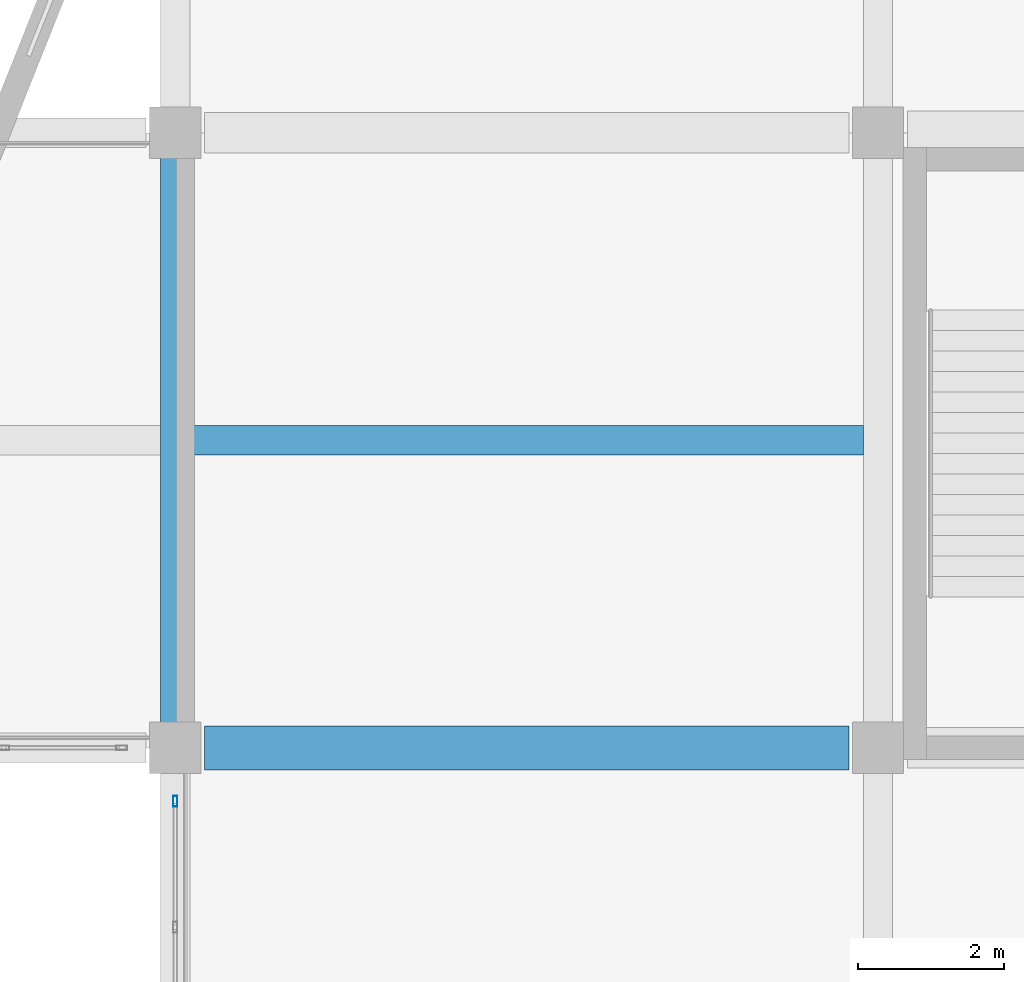
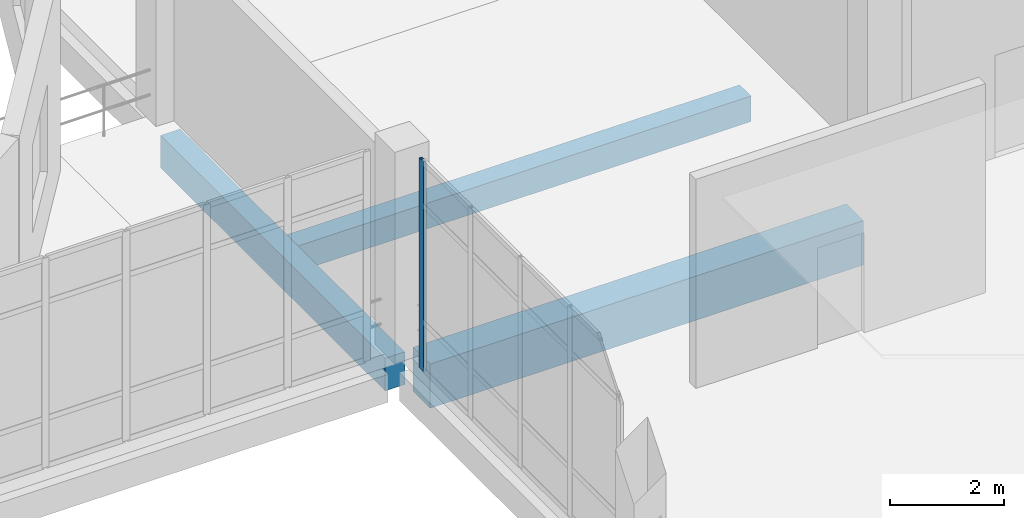
# One storey, part 48 of 102: 3 beams, 1 member, 1 element without a shape of its own.
"""IFC4 building model written with IfcOpenShell, lengths in metres."""

from ifc_helpers import new_model, si_unit, direction, frame, origin, origin_2d, place, context, subcontext, project, spatial, rectangle, hollow_rectangle, extrude, material, layer, layer_set, material_profile, profile_set, type_object, element, aggregate, save


model = new_model("IFC4")

# Units and contexts
model_context = context("Model", 3, precision=1e-05, world=origin(), true_north=direction((0.0, 1.0)))
body_context = subcontext(model_context, "Body", "Model", "MODEL_VIEW")
ifc_project = project(units=[si_unit("LENGTHUNIT", "METRE"), si_unit("AREAUNIT", "SQUARE_METRE"), si_unit("VOLUMEUNIT", "CUBIC_METRE"), si_unit("PLANEANGLEUNIT", "RADIAN"), si_unit("MASSUNIT", "GRAM", prefix="KILO")], contexts=[model_context])

# Site, building, storey
site_placement = place(None, origin())
site = spatial("IfcSite", under=ifc_project, at=site_placement, CompositionType="ELEMENT")
building_placement = place(site_placement, origin())
building = spatial("IfcBuilding", under=site, at=building_placement, Name="Lornevale Opera House", CompositionType="ELEMENT")
storey_placement = place(building_placement, frame((0.0, 0.0, 5.39990234375)))
storey = spatial("IfcBuildingStorey", under=building, at=storey_placement, Name="L02", CompositionType="ELEMENT", Elevation=5.39990234375)

# Beams
ifc_material_1 = material(Name="Concrete 35 MPa (CSA A23.1 N)", Category="concrete")
ifc_material_profile_1 = material_profile(ifc_material_1, rectangle(XDim=0.39990234375, YDim=0.550048828125, at=origin_2d()), Name="RC400x550")
ifc_profile_set_1 = profile_set([ifc_material_profile_1], Name="Concrete 35 MPa (CSA A23.1 N)")
beam_type_1 = type_object("IfcBeamType", Name="Auditorium Tier Raker Beam 400x550", PredefinedType="JOIST", material=ifc_profile_set_1)
beam_1_placement = place(storey_placement, frame((96.199951171875, 37.800048828125, -0.574951171875), z_axis=(1.0, 0.0, 0.0), x_axis=(0.0, 1.0, 0.0)))
element("IfcBeam", 1, at=beam_1_placement, inside=storey, type_object=beam_type_1, Name="Auditorium Tier Raker Beam 400x550 2035", PredefinedType="JOIST", context=body_context, shape_type="SweptSolid", body=[
    extrude(rectangle(XDim=0.39990234375, YDim=0.550048828125, at=origin_2d()), origin(), (0.0, 0.0, 1.0), 9.199951171875),
])
ifc_material_profile_2 = material_profile(ifc_material_1, rectangle(XDim=0.39990234375, YDim=0.699951171875, at=origin_2d()), Name="RC400x700")
ifc_profile_set_2 = profile_set([ifc_material_profile_2], Name="Concrete 35 MPa (CSA A23.1 N)")
beam_type_2 = type_object("IfcBeamType", Name="Concrete Floor Beam 400x700", PredefinedType="USERDEFINED", material=ifc_profile_set_2)
beam_2_placement = place(storey_placement, frame((96.0, 33.85009765625, -0.64990234375), z_axis=(0.0, 1.0, 0.0), x_axis=(-1.0, 0.0, 0.0)))
element("IfcBeam", 2, at=beam_2_placement, inside=storey, type_object=beam_type_2, Name="Concrete Floor Beam 400x700 1909", ObjectType="GIRDER", PredefinedType="USERDEFINED", context=body_context, shape_type="SweptSolid", body=[
    extrude(rectangle(XDim=0.39990234375, YDim=0.699951171875, at=origin_2d()), origin(), (0.0, 0.0, 1.0), 7.89990234375),
])
ifc_material_profile_3 = material_profile(ifc_material_1, rectangle(XDim=0.60009765625, YDim=0.949951171875, at=origin_2d()), Name="RC600x950")
ifc_profile_set_3 = profile_set([ifc_material_profile_3], Name="Concrete 35 MPa (CSA A23.1 N)")
beam_type_3 = type_object("IfcBeamType", Name="Concrete Primary Girder 600x950", PredefinedType="USERDEFINED", material=ifc_profile_set_3)
beam_3_placement = place(storey_placement, frame((96.39990234375, 33.60009765625, -0.77490234375), z_axis=(1.0, 0.0, 0.0), x_axis=(0.0, 1.0, 0.0)))
element("IfcBeam", 3, at=beam_3_placement, inside=storey, type_object=beam_type_3, Name="Concrete Primary Girder 600x950 1716", ObjectType="GIRDER", PredefinedType="USERDEFINED", context=body_context, shape_type="SweptSolid", body=[
    extrude(rectangle(XDim=0.60009765625, YDim=0.949951171875, at=origin_2d()), origin(), (0.0, 0.0, 1.0), 8.800048828125),
])

# Curtain wall, member
ifc_material_2 = material(Name="Anodized Oxide-Green Aluminium Framing", Category="aluminium")
ifc_layer = layer(ifc_material_2, 0.14990234375)
ifc_layer_set = layer_set([ifc_layer], Name="Anodized Oxide-Green Aluminium Framing")
curtain_wall_type = type_object("IfcCurtainWallType", Name="North-Light Clerestory Curtain Wall M1600", PredefinedType="NOTDEFINED", material=ifc_layer_set)
curtain_wall_placement = place(storey_placement, origin())
curtain_wall = element("IfcCurtainWall", 4, at=curtain_wall_placement, inside=storey, type_object=curtain_wall_type, Name="North-Light Clerestory Curtain Wall M1600 CW-173", PredefinedType="NOTDEFINED")
ifc_material_profile_4 = material_profile(ifc_material_2, hollow_rectangle(XDim=0.06005859375, YDim=0.14990234375, WallThickness=0.00390625, at=origin_2d()), Name="ALU60x150x4")
ifc_profile_set_4 = profile_set([ifc_material_profile_4], Name="Anodized Oxide-Green Aluminium Framing")
member_type = type_object("IfcMemberType", Name="Curtain Wall Mullion 60x150", PredefinedType="MULLION", material=ifc_profile_set_4)
member_placement = place(storey_placement, frame((96.0, 32.8701171875, 0.0), z_axis=(0.0, 0.0, 1.0), x_axis=(1.0, 0.0, 0.0)))
member = element("IfcMember", 5, at=member_placement, type_object=member_type, Name="Curtain Wall Mullion 60x150 CW3525", PredefinedType="MULLION", context=body_context, shape_type="SweptSolid", body=[
    extrude(hollow_rectangle(XDim=0.06005859375, YDim=0.14990234375, WallThickness=0.00390625, at=origin_2d()), origin(), (0.0, 0.0, 1.0), 4.5),
])
aggregate(curtain_wall, [member])

save(model, "model.ifc")
